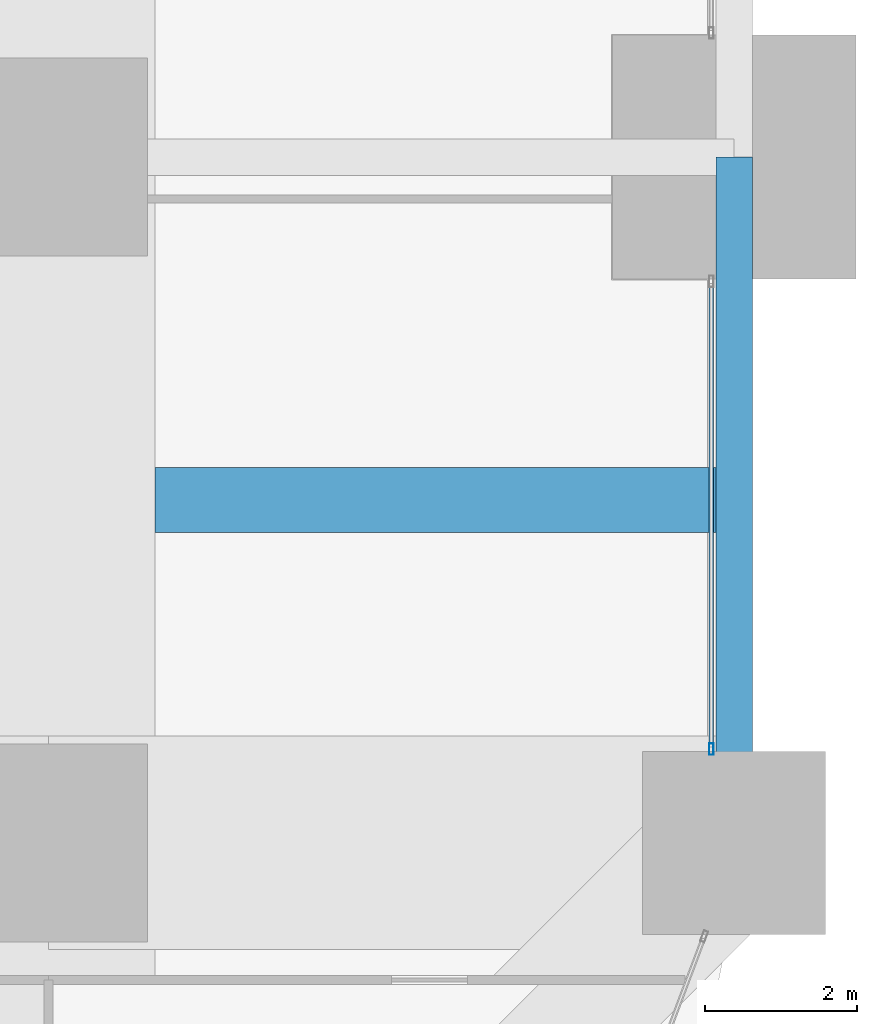
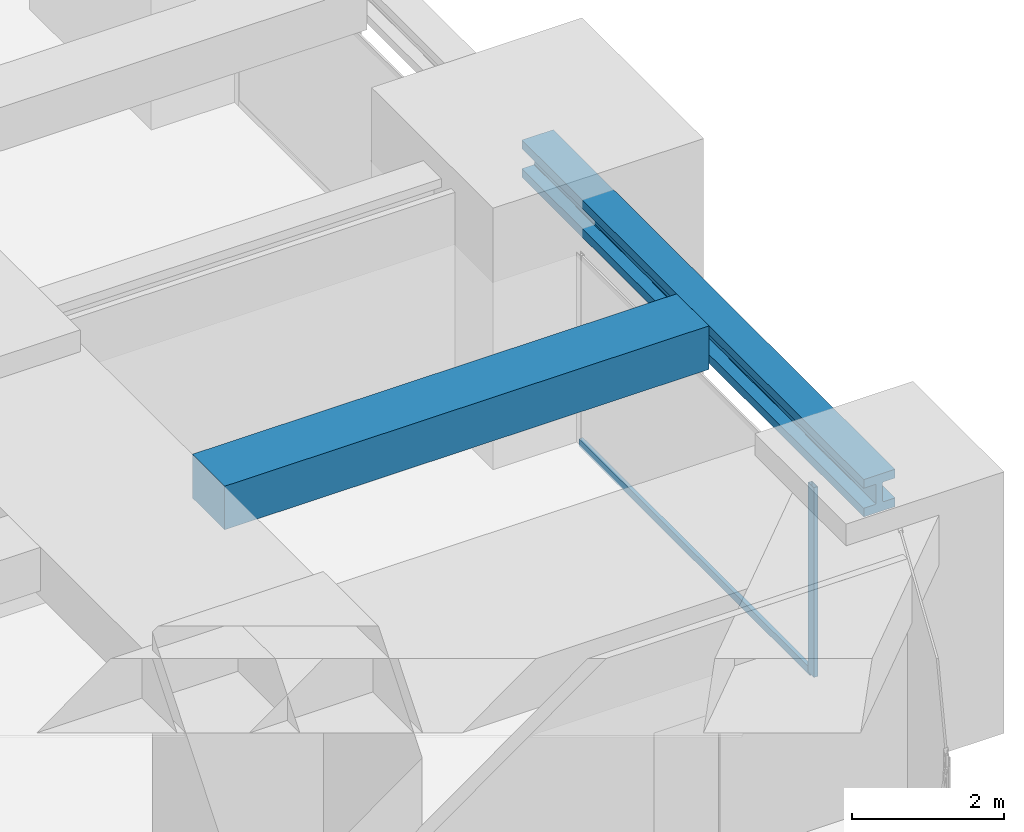
# One storey, part 22 of 45: 2 beams, 2 members, 1 element without a shape of its own.
"""IFC4 building model written with IfcOpenShell, lengths in metres."""

import ifcopenshell
import ifcopenshell.guid

model = None  # the IFC model being written
_history = None  # IfcOwnerHistory: only IFC2X3 demands one
_inside = {}  # id of a spatial element -> (the spatial element, [elements in it])
_under = {}  # id of a project, library or spatial element -> (it, [spatial elements below it])
_declared = {}  # id of a project -> (the project, [libraries it declares])
_typed = {}  # id of a type object -> (the type object, [elements of that type])
_made_of = {}  # id of a material, layer set ... -> (it, [elements and type objects made of it])


def new_model(schema):
    """Start an empty IFC model of exactly this schema.

    Asked for "IFC4X3", IfcOpenShell would pick the latest addendum, in which some entities
    have other attributes; the version numbers below select the first issue.
    IFC2X3 requires an IfcOwnerHistory on every rooted entity: one is made here for all.
    """
    global model, _history
    if schema == "IFC4X3":
        model = ifcopenshell.file(schema_version=(4, 3, 0, 0))
    else:
        model = ifcopenshell.file(schema=schema)
    _inside.clear()
    _under.clear()
    _declared.clear()
    _typed.clear()
    _made_of.clear()
    _history = None
    if model.schema == "IFC2X3":
        org = make("IfcOrganization", Name="unknown")
        user = make(
            "IfcPersonAndOrganization",
            ThePerson=make("IfcPerson", FamilyName="unknown"),
            TheOrganization=org,
        )
        app = make(
            "IfcApplication",
            ApplicationDeveloper=org,
            Version="unknown",
            ApplicationFullName="unknown",
            ApplicationIdentifier="unknown",
        )
        _history = make(
            "IfcOwnerHistory",
            OwningUser=user,
            OwningApplication=app,
            ChangeAction="ADDED",
            CreationDate=0,
        )
    return model


def make(cls, **values):
    """One entity of the class cls with the attributes given. An attribute that is None is left unset."""
    return model.create_entity(
        cls, **{name: value for name, value in values.items() if value is not None}
    )


def rooted(cls, **values):
    """An entity with a GlobalId (a new one), such as an element, a storey or a relation."""
    return make(cls, GlobalId=ifcopenshell.guid.new(), OwnerHistory=_history, **values)


def si_unit(unit_type, name, prefix=None):
    """IfcSIUnit, for example si_unit("LENGTHUNIT", "METRE", prefix="MILLI")."""
    return make("IfcSIUnit", UnitType=unit_type, Prefix=prefix, Name=name)


def assignment(units):
    """IfcUnitAssignment: the units of a project."""
    return None if units is None else make("IfcUnitAssignment", Units=units)


def point(xyz):
    """IfcCartesianPoint."""
    return None if xyz is None else make("IfcCartesianPoint", Coordinates=xyz)


def direction(xyz):
    """IfcDirection."""
    return None if xyz is None else make("IfcDirection", DirectionRatios=xyz)


def frame(location, z_axis=None, x_axis=None):
    """IfcAxis2Placement3D, a coordinate frame: its origin and axes. An axis left out is left unset."""
    return make(
        "IfcAxis2Placement3D",
        Location=point(location),
        Axis=direction(z_axis),
        RefDirection=direction(x_axis),
    )


def frame_2d(location, x_axis=None):
    """IfcAxis2Placement2D, a coordinate frame in the plane: its origin and x axis."""
    return make(
        "IfcAxis2Placement2D", Location=point(location), RefDirection=direction(x_axis)
    )


def origin():
    """The frame at (0, 0, 0) with its axes left unset."""
    return frame((0.0, 0.0, 0.0))


def origin_2d():
    """The frame at (0, 0) in the plane with its x axis left unset."""
    return frame_2d((0.0, 0.0))


def place(relative_to, where):
    """IfcLocalPlacement: puts the frame where relative to a parent placement (None: the world)."""
    return make(
        "IfcLocalPlacement", PlacementRelTo=relative_to, RelativePlacement=where
    )


def context(
    kind, dimensions, precision=None, world=None, true_north=None, identifier=None
):
    """IfcGeometricRepresentationContext, for example the 3D "Model" context."""
    return make(
        "IfcGeometricRepresentationContext",
        ContextIdentifier=identifier,
        ContextType=kind,
        CoordinateSpaceDimension=dimensions,
        Precision=precision,
        WorldCoordinateSystem=world,
        TrueNorth=true_north,
    )


def subcontext(parent, identifier, kind, view, scale=None):
    """IfcGeometricRepresentationSubContext, for example "Body" below "Model"."""
    return make(
        "IfcGeometricRepresentationSubContext",
        ContextIdentifier=identifier,
        ContextType=kind,
        ParentContext=parent,
        TargetScale=scale,
        TargetView=view,
    )


def project(units=None, contexts=None):
    """IfcProject with its units and contexts."""
    return rooted(
        "IfcProject",
        Name="project",
        RepresentationContexts=contexts,
        UnitsInContext=assignment(units),
    )


def spatial(cls, under=None, at=None, **own):
    """A site, building, storey or space (cls), placed at a placement, below another one or the project."""
    s = rooted(cls, ObjectPlacement=at, **own)
    if under is not None:
        _under.setdefault(under.id(), (under, []))[1].append(s)
    return s


def profile(cls, at=None, kind="AREA", **sizes):
    """A parametric profile (cls). Its sizes go by their IFC names, for example OverallWidth=200.0."""
    return make(cls, ProfileType=kind, Position=at, **sizes)


def rectangle(**sizes):
    """IfcRectangleProfileDef."""
    return profile("IfcRectangleProfileDef", **sizes)


def hollow_rectangle(**sizes):
    """IfcRectangleHollowProfileDef."""
    return profile("IfcRectangleHollowProfileDef", **sizes)


def i_section(**sizes):
    """IfcIShapeProfileDef."""
    return profile("IfcIShapeProfileDef", **sizes)


def extrude(swept, where, along, depth):
    """IfcExtrudedAreaSolid: the profile swept, set in the frame where, extruded along a direction by depth."""
    return make(
        "IfcExtrudedAreaSolid",
        SweptArea=swept,
        Position=where,
        ExtrudedDirection=direction(along),
        Depth=depth,
    )


def shape(context_of_items, identifier, shape_type, items):
    """IfcShapeRepresentation: the items that make up one representation, for example the "Body"."""
    return make(
        "IfcShapeRepresentation",
        ContextOfItems=context_of_items,
        RepresentationIdentifier=identifier,
        RepresentationType=shape_type,
        Items=items,
    )


def material(Name=None, Category=None):
    """IfcMaterial."""
    return make("IfcMaterial", Name=Name, Category=Category)


def material_profile(
    of_material, cross_section, Name=None, Category=None, Priority=None
):
    """IfcMaterialProfile: a cross section and its material."""
    return make(
        "IfcMaterialProfile",
        Name=Name,
        Material=of_material,
        Profile=cross_section,
        Priority=Priority,
        Category=Category,
    )


def profile_set(profiles, Name=None, composite=None):
    """IfcMaterialProfileSet."""
    return make(
        "IfcMaterialProfileSet",
        Name=Name,
        MaterialProfiles=profiles,
        CompositeProfile=composite,
    )


def made_of(thing, what):
    """Note that an element or type object is made of a material, layer set ...; save() writes the relation."""
    if what is not None:
        _made_of.setdefault(what.id(), (what, []))[1].append(thing)
    return thing


def type_object(cls, material=None, **own):
    """A type object (cls), such as IfcWallType, which elements share."""
    return made_of(rooted(cls, **own), material)


def element(
    cls,
    number,
    at=None,
    inside=None,
    cuts=None,
    type_object=None,
    material=None,
    context=None,
    identifier="Body",
    shape_type=None,
    held_by="IfcProductDefinitionShape",
    body=None,
    shapes=None,
    **own,
):
    """One element of the class cls, such as IfcWall. Its Tag is "e" and its number.

    at: its placement. inside: the storey or other place that contains it. cuts: it is an
    opening in that element (IfcRelVoidsElement). A single representation is given by context,
    identifier, shape_type and body (its items); several are given by shapes. held_by: the class
    of the entity that holds the representations. save() writes the other relations.
    """
    e = rooted(cls, Tag="e%d" % number, ObjectPlacement=at, **own)
    if body is not None:
        shapes = [shape(context, identifier, shape_type, body)]
    if shapes is not None:
        e.Representation = make(held_by, Representations=shapes)
    if inside is not None:
        _inside.setdefault(inside.id(), (inside, []))[1].append(e)
    if cuts is not None:
        rooted(
            "IfcRelVoidsElement", RelatingBuildingElement=cuts, RelatedOpeningElement=e
        )
    if type_object is not None:
        _typed.setdefault(type_object.id(), (type_object, []))[1].append(e)
    return made_of(e, material)


def aggregate(whole, parts):
    """IfcRelAggregates: a whole, such as a stair, and the parts it consists of."""
    return rooted("IfcRelAggregates", RelatingObject=whole, RelatedObjects=parts)


def save(model, path):
    """Write the relations noted so far, then the file.

    IfcRelAggregates (storeys below a building ...), IfcRelContainedInSpatialStructure (elements
    in a storey), IfcRelDefinesByType, IfcRelAssociatesMaterial and IfcRelDeclares: one each for
    every whole, place, type object, material and project.
    """
    for whole, parts in _under.values():
        aggregate(whole, parts)
    for where, things in _inside.values():
        rooted(
            "IfcRelContainedInSpatialStructure",
            RelatedElements=things,
            RelatingStructure=where,
        )
    for kind, things in _typed.values():
        rooted("IfcRelDefinesByType", RelatedObjects=things, RelatingType=kind)
    for what, things in _made_of.values():
        rooted("IfcRelAssociatesMaterial", RelatedObjects=things, RelatingMaterial=what)
    for by, libraries in _declared.values():
        rooted("IfcRelDeclares", RelatingContext=by, RelatedDefinitions=libraries)
    model.write(path)


model = new_model("IFC4")

# Units and contexts
model_context = context("Model", 3, precision=1e-05, world=origin(), true_north=direction((0.0, 1.0)))
body_context = subcontext(model_context, "Body", "Model", "MODEL_VIEW")
ifc_project = project(units=[si_unit("LENGTHUNIT", "METRE"), si_unit("AREAUNIT", "SQUARE_METRE"), si_unit("VOLUMEUNIT", "CUBIC_METRE"), si_unit("PLANEANGLEUNIT", "RADIAN"), si_unit("MASSUNIT", "GRAM", prefix="KILO")], contexts=[model_context])

# Site, building, storey
site_placement = place(None, origin())
site = spatial("IfcSite", under=ifc_project, at=site_placement, CompositionType="ELEMENT")
building_placement = place(site_placement, origin())
building = spatial("IfcBuilding", under=site, at=building_placement, Name="Zorevar Civic Tower", CompositionType="ELEMENT")
storey_placement = place(building_placement, frame((0.0, 0.0, 153.0)))
storey = spatial("IfcBuildingStorey", under=building, at=storey_placement, Name="L37", CompositionType="ELEMENT", Elevation=153.0)

# Beams
ifc_material_1 = material(Name="Concrete C50/60", Category="concrete")
ifc_material_profile_1 = material_profile(ifc_material_1, rectangle(XDim=0.85009765625, YDim=0.699951171875, at=origin_2d()), Name="RC 850x700")
ifc_profile_set_1 = profile_set([ifc_material_profile_1], Name="Concrete C50/60")
beam_type_1 = type_object("IfcBeamType", Name="Beam RC 850x700", PredefinedType="BEAM", material=ifc_profile_set_1)
beam_1_placement = place(storey_placement, frame((55.39990234375, 13.5, 3.5), z_axis=(1.0, 0.0, 0.0), x_axis=(0.0, 1.0, 0.0)))
element("IfcBeam", 1, at=beam_1_placement, inside=storey, type_object=beam_type_1, Name="Secondary beam L38", PredefinedType="BEAM", context=body_context, shape_type="SweptSolid", body=[
    extrude(rectangle(XDim=0.85009765625, YDim=0.699951171875, at=origin_2d()), origin(), (0.0, 0.0, 1.0), 7.362060546875),
])
ifc_material_2 = material(Name="Steel S460M (HISTAR 460)", Category="steel")
ifc_material_profile_2 = material_profile(ifc_material_2, i_section(OverallWidth=0.47607421875, OverallDepth=0.60009765625, WebThickness=0.10009765625, FlangeThickness=0.139892578125, FilletRadius=0.014892578125, at=origin_2d()), Name="HD 400x1299")
ifc_profile_set_2 = profile_set([ifc_material_profile_2], Name="Steel S460M (HISTAR 460)")
beam_type_2 = type_object("IfcBeamType", Name="Belt chord HD 400x1299", PredefinedType="BEAM", material=ifc_profile_set_2)
beam_2_placement = place(storey_placement, frame((63.0, 9.0, 3.550048828125), z_axis=(0.0, 1.0, 0.0), x_axis=(-1.0, 0.0, 0.0)))
element("IfcBeam", 2, at=beam_2_placement, inside=storey, type_object=beam_type_2, Name="Belt chord L38", PredefinedType="BEAM", context=body_context, shape_type="SweptSolid", body=[
    extrude(i_section(OverallWidth=0.47607421875, OverallDepth=0.60009765625, WebThickness=0.10009765625, FlangeThickness=0.139892578125, FilletRadius=0.014892578125, at=origin_2d()), origin(), (0.0, 0.0, 1.0), 9.0),
])

# Curtain wall, members
ifc_material_3 = material(Name="Dark grey solar-control glass in black aluminium frame", Category="aluminium")
curtain_wall_type = type_object("IfcCurtainWallType", Name="Curtain wall CW3 mid zone", PredefinedType="NOTDEFINED", material=ifc_material_3)
curtain_wall_placement = place(storey_placement, origin())
curtain_wall = element("IfcCurtainWall", 3, at=curtain_wall_placement, inside=storey, type_object=curtain_wall_type, Name="CW3 L37", PredefinedType="NOTDEFINED")
ifc_material_4 = material(Name="Aluminium, black anodised", Category="aluminium")
ifc_material_profile_3 = material_profile(ifc_material_4, hollow_rectangle(XDim=0.06005859375, YDim=0.14990234375, WallThickness=0.00390625, at=origin_2d()), Name="AL 150x60x4")
ifc_profile_set_3 = profile_set([ifc_material_profile_3], Name="Aluminium, black anodised")
member_type_1 = type_object("IfcMemberType", Name="CW3 mullion AL 150x60x4", PredefinedType="MULLION", material=ifc_profile_set_3)
member_1_placement = place(storey_placement, frame((62.699951171875, 10.22998046875, 0.0), z_axis=(0.0, 0.0, 1.0), x_axis=(-1.0, 0.0, 0.0)))
member_1 = element("IfcMember", 4, at=member_1_placement, type_object=member_type_1, Name="CW3 mullion 1", PredefinedType="MULLION", context=body_context, shape_type="SweptSolid", body=[
    extrude(hollow_rectangle(XDim=0.06005859375, YDim=0.14990234375, WallThickness=0.00390625, at=origin_2d()), origin(), (0.0, 0.0, 1.0), 3.050048828125),
])
ifc_material_5 = material(Name="Aluminium, black anodised", Category="aluminium")
ifc_material_profile_4 = material_profile(ifc_material_5, hollow_rectangle(XDim=0.06005859375, YDim=0.1201171875, WallThickness=0.0029296875, at=origin_2d()), Name="AL 120x60x3")
ifc_profile_set_4 = profile_set([ifc_material_profile_4], Name="Aluminium, black anodised")
member_type_2 = type_object("IfcMemberType", Name="CW3 transom AL 120x60x3", PredefinedType="USERDEFINED", material=ifc_profile_set_4)
member_2_placement = place(storey_placement, frame((62.699951171875, 10.260009765625, 0.030029296875), z_axis=(0.0, 1.0, 0.0), x_axis=(-1.0, 0.0, 0.0)))
member_2 = element("IfcMember", 5, at=member_2_placement, type_object=member_type_2, Name="CW3 sill transom", ObjectType="TRANSOM", PredefinedType="USERDEFINED", context=body_context, shape_type="SweptSolid", body=[
    extrude(hollow_rectangle(XDim=0.06005859375, YDim=0.1201171875, WallThickness=0.0029296875, at=origin_2d()), origin(), (0.0, 0.0, 1.0), 6.080078125),
])
aggregate(curtain_wall, [member_1, member_2])

save(model, "model.ifc")
